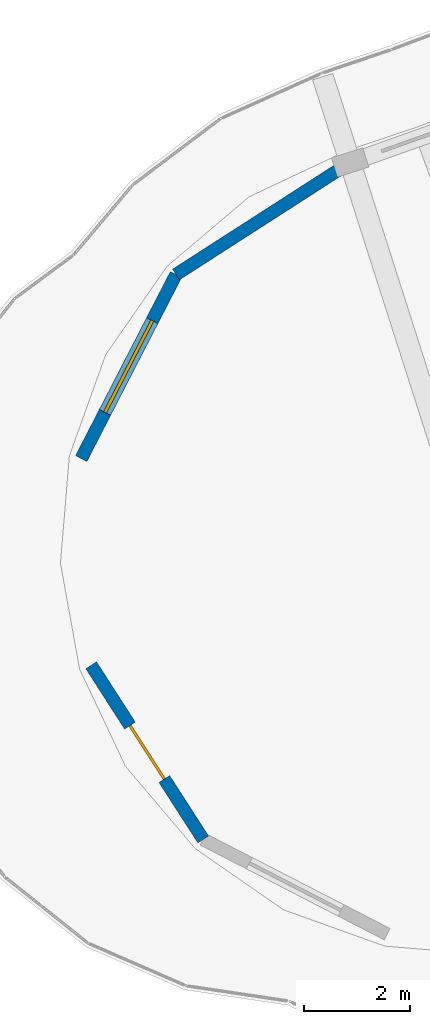
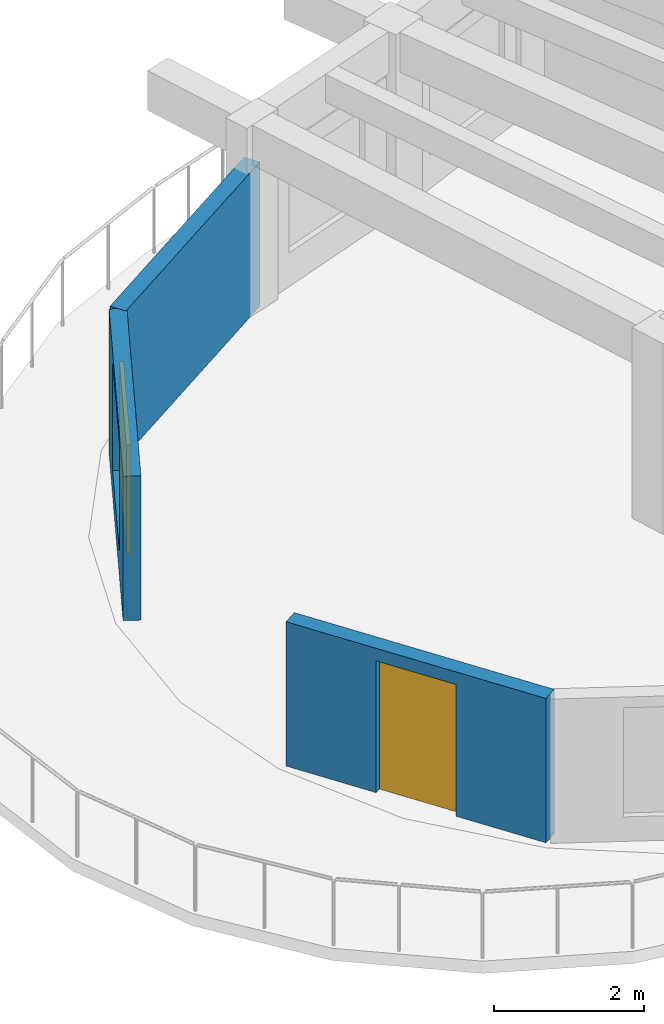
# One storey, part 45 of 81: 3 walls, 1 door, 1 window, 2 openings.
"""IFC4 building model written with IfcOpenShell, lengths in metres."""

import ifcopenshell
import ifcopenshell.guid

model = None  # the IFC model being written
_history = None  # IfcOwnerHistory: only IFC2X3 demands one
_inside = {}  # id of a spatial element -> (the spatial element, [elements in it])
_under = {}  # id of a project, library or spatial element -> (it, [spatial elements below it])
_declared = {}  # id of a project -> (the project, [libraries it declares])
_typed = {}  # id of a type object -> (the type object, [elements of that type])
_made_of = {}  # id of a material, layer set ... -> (it, [elements and type objects made of it])


def new_model(schema):
    """Start an empty IFC model of exactly this schema.

    Asked for "IFC4X3", IfcOpenShell would pick the latest addendum, in which some entities
    have other attributes; the version numbers below select the first issue.
    IFC2X3 requires an IfcOwnerHistory on every rooted entity: one is made here for all.
    """
    global model, _history
    if schema == "IFC4X3":
        model = ifcopenshell.file(schema_version=(4, 3, 0, 0))
    else:
        model = ifcopenshell.file(schema=schema)
    _inside.clear()
    _under.clear()
    _declared.clear()
    _typed.clear()
    _made_of.clear()
    _history = None
    if model.schema == "IFC2X3":
        org = make("IfcOrganization", Name="unknown")
        user = make(
            "IfcPersonAndOrganization",
            ThePerson=make("IfcPerson", FamilyName="unknown"),
            TheOrganization=org,
        )
        app = make(
            "IfcApplication",
            ApplicationDeveloper=org,
            Version="unknown",
            ApplicationFullName="unknown",
            ApplicationIdentifier="unknown",
        )
        _history = make(
            "IfcOwnerHistory",
            OwningUser=user,
            OwningApplication=app,
            ChangeAction="ADDED",
            CreationDate=0,
        )
    return model


def make(cls, **values):
    """One entity of the class cls with the attributes given. An attribute that is None is left unset."""
    return model.create_entity(
        cls, **{name: value for name, value in values.items() if value is not None}
    )


def rooted(cls, **values):
    """An entity with a GlobalId (a new one), such as an element, a storey or a relation."""
    return make(cls, GlobalId=ifcopenshell.guid.new(), OwnerHistory=_history, **values)


def si_unit(unit_type, name, prefix=None):
    """IfcSIUnit, for example si_unit("LENGTHUNIT", "METRE", prefix="MILLI")."""
    return make("IfcSIUnit", UnitType=unit_type, Prefix=prefix, Name=name)


def assignment(units):
    """IfcUnitAssignment: the units of a project."""
    return None if units is None else make("IfcUnitAssignment", Units=units)


def point(xyz):
    """IfcCartesianPoint."""
    return None if xyz is None else make("IfcCartesianPoint", Coordinates=xyz)


def direction(xyz):
    """IfcDirection."""
    return None if xyz is None else make("IfcDirection", DirectionRatios=xyz)


def frame(location, z_axis=None, x_axis=None):
    """IfcAxis2Placement3D, a coordinate frame: its origin and axes. An axis left out is left unset."""
    return make(
        "IfcAxis2Placement3D",
        Location=point(location),
        Axis=direction(z_axis),
        RefDirection=direction(x_axis),
    )


def frame_2d(location, x_axis=None):
    """IfcAxis2Placement2D, a coordinate frame in the plane: its origin and x axis."""
    return make(
        "IfcAxis2Placement2D", Location=point(location), RefDirection=direction(x_axis)
    )


def origin():
    """The frame at (0, 0, 0) with its axes left unset."""
    return frame((0.0, 0.0, 0.0))


def place(relative_to, where):
    """IfcLocalPlacement: puts the frame where relative to a parent placement (None: the world)."""
    return make(
        "IfcLocalPlacement", PlacementRelTo=relative_to, RelativePlacement=where
    )


def context(
    kind, dimensions, precision=None, world=None, true_north=None, identifier=None
):
    """IfcGeometricRepresentationContext, for example the 3D "Model" context."""
    return make(
        "IfcGeometricRepresentationContext",
        ContextIdentifier=identifier,
        ContextType=kind,
        CoordinateSpaceDimension=dimensions,
        Precision=precision,
        WorldCoordinateSystem=world,
        TrueNorth=true_north,
    )


def subcontext(parent, identifier, kind, view, scale=None):
    """IfcGeometricRepresentationSubContext, for example "Body" below "Model"."""
    return make(
        "IfcGeometricRepresentationSubContext",
        ContextIdentifier=identifier,
        ContextType=kind,
        ParentContext=parent,
        TargetScale=scale,
        TargetView=view,
    )


def project(units=None, contexts=None):
    """IfcProject with its units and contexts."""
    return rooted(
        "IfcProject",
        Name="project",
        RepresentationContexts=contexts,
        UnitsInContext=assignment(units),
    )


def spatial(cls, under=None, at=None, **own):
    """A site, building, storey or space (cls), placed at a placement, below another one or the project."""
    s = rooted(cls, ObjectPlacement=at, **own)
    if under is not None:
        _under.setdefault(under.id(), (under, []))[1].append(s)
    return s


def profile(cls, at=None, kind="AREA", **sizes):
    """A parametric profile (cls). Its sizes go by their IFC names, for example OverallWidth=200.0."""
    return make(cls, ProfileType=kind, Position=at, **sizes)


def rectangle(**sizes):
    """IfcRectangleProfileDef."""
    return profile("IfcRectangleProfileDef", **sizes)


def extrude(swept, where, along, depth):
    """IfcExtrudedAreaSolid: the profile swept, set in the frame where, extruded along a direction by depth."""
    return make(
        "IfcExtrudedAreaSolid",
        SweptArea=swept,
        Position=where,
        ExtrudedDirection=direction(along),
        Depth=depth,
    )


def shape(context_of_items, identifier, shape_type, items):
    """IfcShapeRepresentation: the items that make up one representation, for example the "Body"."""
    return make(
        "IfcShapeRepresentation",
        ContextOfItems=context_of_items,
        RepresentationIdentifier=identifier,
        RepresentationType=shape_type,
        Items=items,
    )


def material(Name=None, Category=None):
    """IfcMaterial."""
    return make("IfcMaterial", Name=Name, Category=Category)


def layer(
    of_material, thickness, ventilated=None, Name=None, Category=None, Priority=None
):
    """IfcMaterialLayer: one layer of a wall or slab, of a material (None: an air gap)."""
    return make(
        "IfcMaterialLayer",
        Material=of_material,
        LayerThickness=thickness,
        IsVentilated=ventilated,
        Name=Name,
        Category=Category,
        Priority=Priority,
    )


def layer_set(layers, Name=None):
    """IfcMaterialLayerSet."""
    return make("IfcMaterialLayerSet", MaterialLayers=layers, LayerSetName=Name)


def made_of(thing, what):
    """Note that an element or type object is made of a material, layer set ...; save() writes the relation."""
    if what is not None:
        _made_of.setdefault(what.id(), (what, []))[1].append(thing)
    return thing


def type_object(cls, material=None, **own):
    """A type object (cls), such as IfcWallType, which elements share."""
    return made_of(rooted(cls, **own), material)


def element(
    cls,
    number,
    at=None,
    inside=None,
    cuts=None,
    type_object=None,
    material=None,
    context=None,
    identifier="Body",
    shape_type=None,
    held_by="IfcProductDefinitionShape",
    body=None,
    shapes=None,
    **own,
):
    """One element of the class cls, such as IfcWall. Its Tag is "e" and its number.

    at: its placement. inside: the storey or other place that contains it. cuts: it is an
    opening in that element (IfcRelVoidsElement). A single representation is given by context,
    identifier, shape_type and body (its items); several are given by shapes. held_by: the class
    of the entity that holds the representations. save() writes the other relations.
    """
    e = rooted(cls, Tag="e%d" % number, ObjectPlacement=at, **own)
    if body is not None:
        shapes = [shape(context, identifier, shape_type, body)]
    if shapes is not None:
        e.Representation = make(held_by, Representations=shapes)
    if inside is not None:
        _inside.setdefault(inside.id(), (inside, []))[1].append(e)
    if cuts is not None:
        rooted(
            "IfcRelVoidsElement", RelatingBuildingElement=cuts, RelatedOpeningElement=e
        )
    if type_object is not None:
        _typed.setdefault(type_object.id(), (type_object, []))[1].append(e)
    return made_of(e, material)


def fill(opening, filler):
    """IfcRelFillsElement: the door or window that sits in an opening."""
    return rooted(
        "IfcRelFillsElement",
        RelatingOpeningElement=opening,
        RelatedBuildingElement=filler,
    )


def aggregate(whole, parts):
    """IfcRelAggregates: a whole, such as a stair, and the parts it consists of."""
    return rooted("IfcRelAggregates", RelatingObject=whole, RelatedObjects=parts)


def save(model, path):
    """Write the relations noted so far, then the file.

    IfcRelAggregates (storeys below a building ...), IfcRelContainedInSpatialStructure (elements
    in a storey), IfcRelDefinesByType, IfcRelAssociatesMaterial and IfcRelDeclares: one each for
    every whole, place, type object, material and project.
    """
    for whole, parts in _under.values():
        aggregate(whole, parts)
    for where, things in _inside.values():
        rooted(
            "IfcRelContainedInSpatialStructure",
            RelatedElements=things,
            RelatingStructure=where,
        )
    for kind, things in _typed.values():
        rooted("IfcRelDefinesByType", RelatedObjects=things, RelatingType=kind)
    for what, things in _made_of.values():
        rooted("IfcRelAssociatesMaterial", RelatedObjects=things, RelatingMaterial=what)
    for by, libraries in _declared.values():
        rooted("IfcRelDeclares", RelatingContext=by, RelatedDefinitions=libraries)
    model.write(path)


model = new_model("IFC4")

# Units and contexts
model_context = context("Model", 3, precision=1e-05, world=origin(), true_north=direction((0.0, 1.0)))
body_context = subcontext(model_context, "Body", "Model", "MODEL_VIEW")
ifc_project = project(units=[si_unit("LENGTHUNIT", "METRE"), si_unit("AREAUNIT", "SQUARE_METRE"), si_unit("VOLUMEUNIT", "CUBIC_METRE"), si_unit("PLANEANGLEUNIT", "RADIAN"), si_unit("MASSUNIT", "GRAM", prefix="KILO")], contexts=[model_context])

# Site, building, storey
site_placement = place(None, origin())
site = spatial("IfcSite", under=ifc_project, at=site_placement, CompositionType="ELEMENT")
building_placement = place(site_placement, origin())
building = spatial("IfcBuilding", under=site, at=building_placement, Name="Tanwirah Colonnade Gardens", CompositionType="ELEMENT")
storey_placement = place(building_placement, frame((0.0, 0.0, 18.919921875)))
storey = spatial("IfcBuildingStorey", under=building, at=storey_placement, Name="L05", CompositionType="ELEMENT", Elevation=18.919921875)

# Wall, opening, door
ifc_material_1 = material(Name="Limestone architectural precast concrete C40/50", Category="masonry")
ifc_layer = layer(ifc_material_1, 0.239990234375)
ifc_layer_set = layer_set([ifc_layer], Name="Limestone architectural precast concrete C40/50")
wall_type = type_object("IfcWallType", Name="EW-PC240", PredefinedType="SOLIDWALL", material=ifc_layer_set)
wall_1_placement = place(storey_placement, frame((131.776611328125, 9.38671875, 0.0), z_axis=(0.0, 0.0, 1.0), x_axis=(-0.540988055082, 0.841030275471, 0.0)))
wall_1 = element("IfcWall", 1, at=wall_1_placement, inside=storey, type_object=wall_type, Name="Block D L05 START Rounded End Wall 2", PredefinedType="SOLIDWALL", context=body_context, shape_type="SweptSolid", body=[
    extrude(rectangle(XDim=3.908203125, YDim=0.239990234375, at=frame_2d((1.9541015625, 0.0))), origin(), (0.0, 0.0, 1.0), 2.35498046875),
])
opening_1_placement = place(wall_1_placement, frame((1.35400390625, 0.0, 0.0)))
opening_1 = element("IfcOpeningElement", 2, at=opening_1_placement, cuts=wall_1, Name="Opening L05-ED202", PredefinedType="OPENING", context=body_context, shape_type="SweptSolid", body=[
    extrude(rectangle(XDim=1.199951171875, YDim=2.14990234375, at=frame_2d((0.60009765625, 1.074951171875))), frame((0.0, 0.1298828125, 0.0), z_axis=(0.0, -1.0, 0.0), x_axis=(1.0, 0.0, 0.0)), (0.0, 0.0, 1.0), 0.260009765625),
])
ifc_material_2 = material(Name="Bronze aluminium glazed terrace door", Category="aluminium")
door_type = type_object("IfcDoorType", Name="ED-TER120", OperationType="NOTDEFINED", PredefinedType="DOOR", material=ifc_material_2)
door_placement = place(opening_1_placement, origin())
door = element("IfcDoor", 3, at=door_placement, inside=storey, type_object=door_type, Name="Stepped corner terrace door L05-ED202", OperationType="SINGLE_SWING_RIGHT", OverallHeight=2.14990234375, OverallWidth=1.199951171875, PredefinedType="DOOR", context=body_context, shape_type="SweptSolid", body=[
    extrude(rectangle(XDim=1.199951171875, YDim=2.14990234375, at=frame_2d((0.60009765625, 1.074951171875))), frame((0.0, 0.02490234375, 0.0), z_axis=(0.0, -1.0, 0.0), x_axis=(1.0, 0.0, 0.0)), (0.0, 0.0, 1.0), 0.050048828125),
])
fill(opening_1, door)

# Wall, opening, window
wall_2_placement = place(storey_placement, frame((129.474853515625, 16.577392578125, 0.0), z_axis=(0.0, 0.0, 1.0), x_axis=(0.457901236663, 0.889003069434, 0.0)))
wall_2 = element("IfcWall", 4, at=wall_2_placement, inside=storey, type_object=wall_type, Name="Block D L05 START Rounded End Wall 4", PredefinedType="SOLIDWALL", context=body_context, shape_type="SweptSolid", body=[
    extrude(rectangle(XDim=3.908203125, YDim=0.239990234375, at=frame_2d((1.9541015625, 0.0))), origin(), (0.0, 0.0, 1.0), 2.35498046875),
])
opening_2_placement = place(wall_2_placement, frame((0.97900390625, 0.0, 0.39990234375)))
opening_2 = element("IfcOpeningElement", 5, at=opening_2_placement, cuts=wall_2, Name="Opening WIN-END2", PredefinedType="OPENING", context=body_context, shape_type="SweptSolid", body=[
    extrude(rectangle(XDim=1.949951171875, YDim=1.780029296875, at=frame_2d((0.97509765625, 0.89013671875))), frame((0.0, 0.1298828125, 0.0), z_axis=(0.0, -1.0, 0.0), x_axis=(1.0, 0.0, 0.0)), (0.0, 0.0, 1.0), 0.260009765625),
])
ifc_material_3 = material(Name="Thermally broken bronze aluminium and solar low-E double glazing", Category="aluminium")
window_type = type_object("IfcWindowType", Name="WIN-END2", PartitioningType="TRIPLE_PANEL_VERTICAL", PredefinedType="WINDOW", material=ifc_material_3)
window_placement = place(opening_2_placement, origin())
window = element("IfcWindow", 6, at=window_placement, inside=storey, type_object=window_type, Name="Rounded corner window D-L05-START-4", OverallHeight=1.780029296875, OverallWidth=1.949951171875, PartitioningType="SINGLE_PANEL", PredefinedType="WINDOW", context=body_context, shape_type="SweptSolid", body=[
    extrude(rectangle(XDim=1.949951171875, YDim=1.780029296875, at=frame_2d((0.97509765625, 0.89013671875))), frame((0.0, 0.030029296875, 0.0), z_axis=(0.0, -1.0, 0.0), x_axis=(1.0, 0.0, 0.0)), (0.0, 0.0, 1.0), 0.06005859375),
])
fill(opening_2, window)

# Wall
wall_3_placement = place(storey_placement, frame((131.264404296875, 20.0517578125, 0.0), z_axis=(0.0, 0.0, 1.0), x_axis=(0.841030275471, 0.540988055082, 0.0)))
element("IfcWall", 7, at=wall_3_placement, inside=storey, type_object=wall_type, Name="Block D L05 START Rounded End Wall 5", PredefinedType="SOLIDWALL", context=body_context, shape_type="SweptSolid", body=[
    extrude(rectangle(XDim=3.908203125, YDim=0.239990234375, at=frame_2d((1.9541015625, 0.0))), origin(), (0.0, 0.0, 1.0), 2.35498046875),
])

save(model, "model.ifc")
